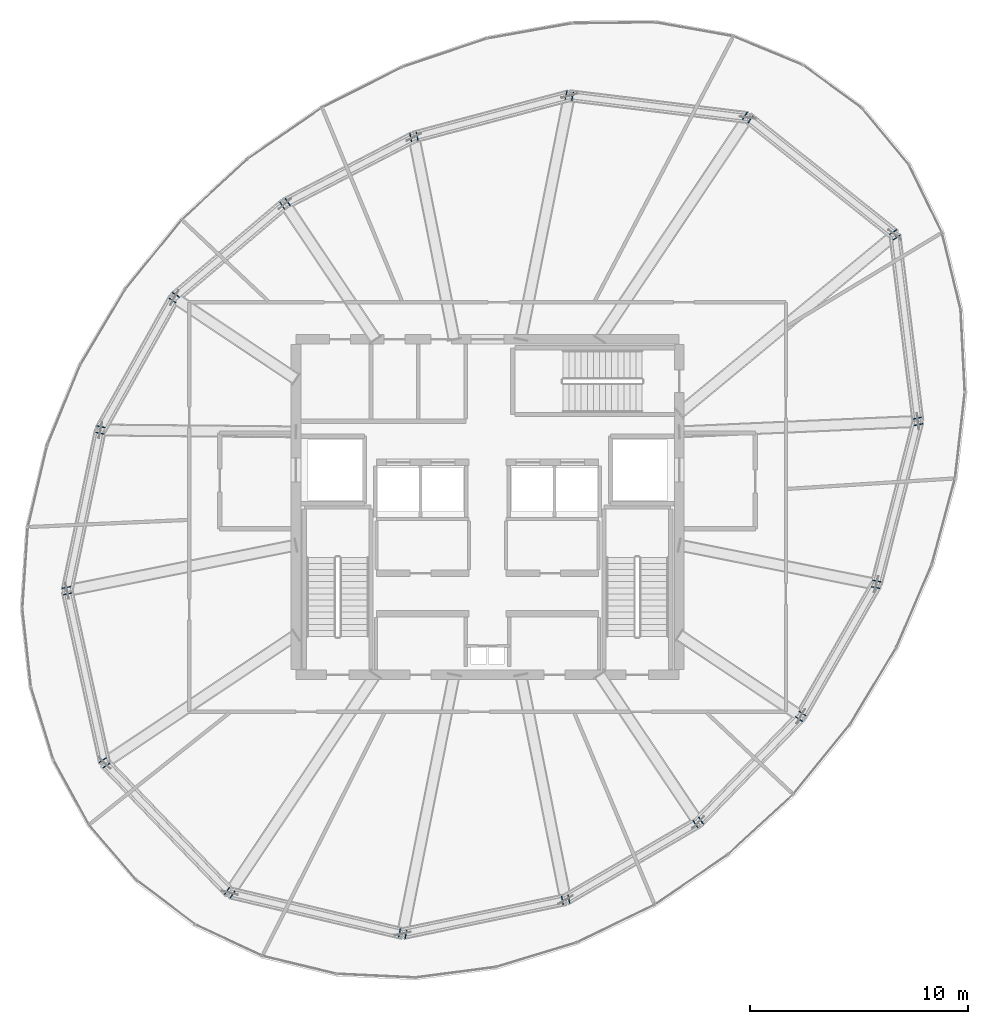
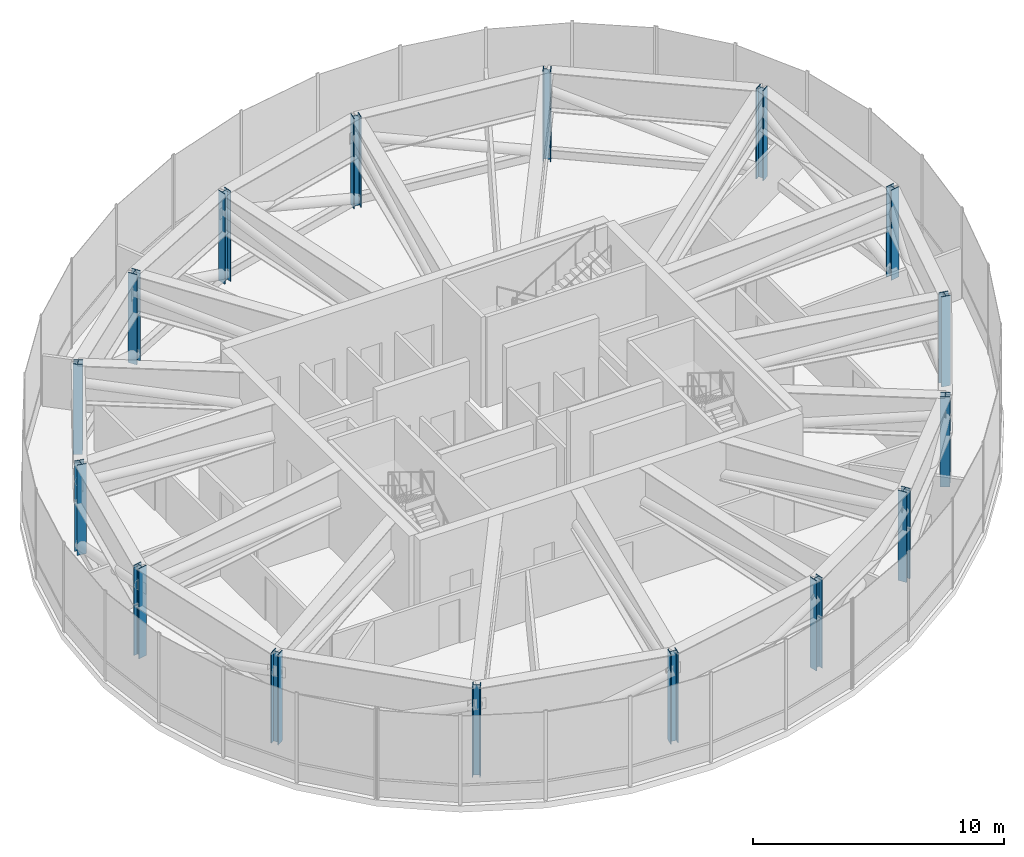
# One storey, part 1 of 26: 16 columns.
"""IFC4 building model written with IfcOpenShell, lengths in metres."""

from ifc_helpers import new_model, si_unit, direction, frame, origin, origin_2d, place, context, subcontext, project, spatial, i_section, extrude, source, transform, mapped, material, material_profile, profile_set, type_object, element, save


model = new_model("IFC4")

# Units and contexts
model_context = context("Model", 3, precision=1e-05, world=origin(), true_north=direction((0.0, 1.0)))
body_context = subcontext(model_context, "Body", "Model", "MODEL_VIEW")
ifc_project = project(units=[si_unit("LENGTHUNIT", "METRE"), si_unit("AREAUNIT", "SQUARE_METRE"), si_unit("VOLUMEUNIT", "CUBIC_METRE"), si_unit("PLANEANGLEUNIT", "RADIAN"), si_unit("MASSUNIT", "GRAM", prefix="KILO"), si_unit("THERMODYNAMICTEMPERATUREUNIT", "KELVIN")], contexts=[model_context])

# Site, building, storey
site_placement = place(None, origin())
site = spatial("IfcSite", under=ifc_project, at=site_placement, CompositionType="ELEMENT")
building_placement = place(site_placement, origin())
building = spatial("IfcBuilding", under=site, at=building_placement, Name="Kethvar Cultural Tower", CompositionType="ELEMENT")
storey_placement = place(building_placement, frame((0.0, 0.0, 223.60009765625)))
storey = spatial("IfcBuildingStorey", under=building, at=storey_placement, Name="L58", CompositionType="ELEMENT", Elevation=223.60009765625)

# Columns
ifc_material = material(Name="Steel S460M", Category="steel")
ifc_material_profile = material_profile(ifc_material, i_section(OverallWidth=0.39111328125, OverallDepth=0.3349609375, WebThickness=0.022705078125, FlangeThickness=0.033935546875, FilletRadius=0.014892578125, at=origin_2d()), Name="Steel S460M — HD400x463")
ifc_profile_set = profile_set([ifc_material_profile], Name="Steel S460M — HD400x463")
column_type = type_object("IfcColumnType", Name="COL-HD463", PredefinedType="COLUMN", material=ifc_profile_set)
shared_shape = source(origin(), body_context, "Body", "SweptSolid", [
    extrude(i_section(OverallWidth=0.39111328125, OverallDepth=0.3349609375, WebThickness=0.022705078125, FlangeThickness=0.033935546875, FilletRadius=0.014892578125, at=origin_2d()), origin(), (0.0, 0.0, 1.0), 4.3798828125),
])
for number, where, z_axis, x_axis, name in (
    (1, (66.56396484375, 31.731201171875, 0.0), (0.0, 0.0, 1.0), (0.980785280403, 0.195090322016, 0.0), "L58 Mega-Column MC-01"),
    (2, (65.504150390625, 40.297607421875, 0.0), (0.0, 0.0, 1.0), (0.831469612303, 0.55557023302, 0.0), "L58 Mega-Column MC-02"),
    (3, (58.748046875, 45.681396484375, 0.0), (0.0, 0.0, 1.0), (0.55557023302, 0.831469612303, 0.0), "L58 Mega-Column MC-03"),
    (4, (50.556884765625, 46.6875, 0.0), (0.0, 0.0, 1.0), (0.195090322016, 0.980785280403, 0.0), "L58 Mega-Column MC-04"),
    (5, (43.420654296875, 44.789306640625, 0.0), (0.0, 0.0, 1.0), (-0.195090322016, 0.980785280403, 0.0), "L58 Mega-Column MC-05"),
    (6, (37.498779296875, 41.720458984375, 0.0), (0.0, 0.0, 1.0), (-0.55557023302, 0.831469612303, 0.0), "L58 Mega-Column MC-06"),
    (7, (32.418212890625, 37.409423828125, 0.0), (0.0, 0.0, 1.0), (-0.831469612303, 0.55557023302, 0.0), "L58 Mega-Column MC-07"),
    (8, (29.02490234375, 31.335693359375, 0.0), (0.0, 0.0, 1.0), (-0.980785280403, 0.195090322016, 0.0), "L58 Mega-Column MC-08"),
    (9, (27.492919921875, 23.959716796875, 0.0), (0.0, 0.0, 1.0), (-0.980785280403, -0.195090322016, 0.0), "L58 Mega-Column MC-09"),
    (10, (29.217529296875, 16.0517578125, 0.0), (0.0, 0.0, 1.0), (-0.831469612303, -0.55557023302, 0.0), "L58 Mega-Column MC-10"),
    (11, (34.962646484375, 10.084228515625, 0.0), (0.0, 0.0, 1.0), (-0.55557023302, -0.831469612303, 0.0), "L58 Mega-Column MC-11"),
    (12, (42.903564453125, 8.2109375, 0.0), (0.0, 0.0, 1.0), (-0.195090322016, -0.980785280403, 0.0), "L58 Mega-Column MC-12"),
    (13, (50.38671875, 9.7685546875, 0.0), (0.0, 0.0, 1.0), (0.195090322016, -0.980785280403, 0.0), "L58 Mega-Column MC-13"),
    (14, (56.474609375, 13.32080078125, 0.0), (0.0, 0.0, 1.0), (0.55557023302, -0.831469612303, 0.0), "L58 Mega-Column MC-14"),
    (15, (61.1826171875, 18.18994140625, 0.0), (0.0, 0.0, 1.0), (0.831469612303, -0.55557023302, 0.0), "L58 Mega-Column MC-15"),
    (16, (64.648681640625, 24.249755859375, 0.0), (0.0, 0.0, 1.0), (0.980785280403, -0.195090322016, 0.0), "L58 Mega-Column MC-16"),
):
    element("IfcColumn", number, at=place(storey_placement, frame(where, z_axis=z_axis, x_axis=x_axis)), inside=storey, type_object=column_type, Name=name, PredefinedType="COLUMN", context=body_context, shape_type="MappedRepresentation", body=[
        mapped(shared_shape, transform((0.0, 0.0, 0.0), scale=1.0)),
    ])

save(model, "model.ifc")
